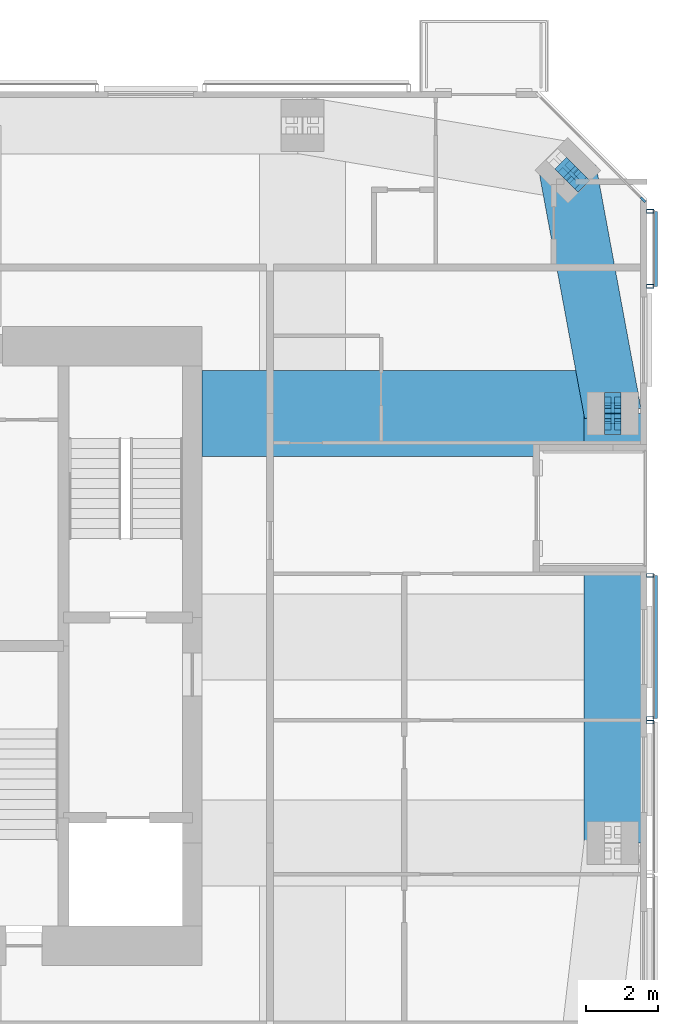
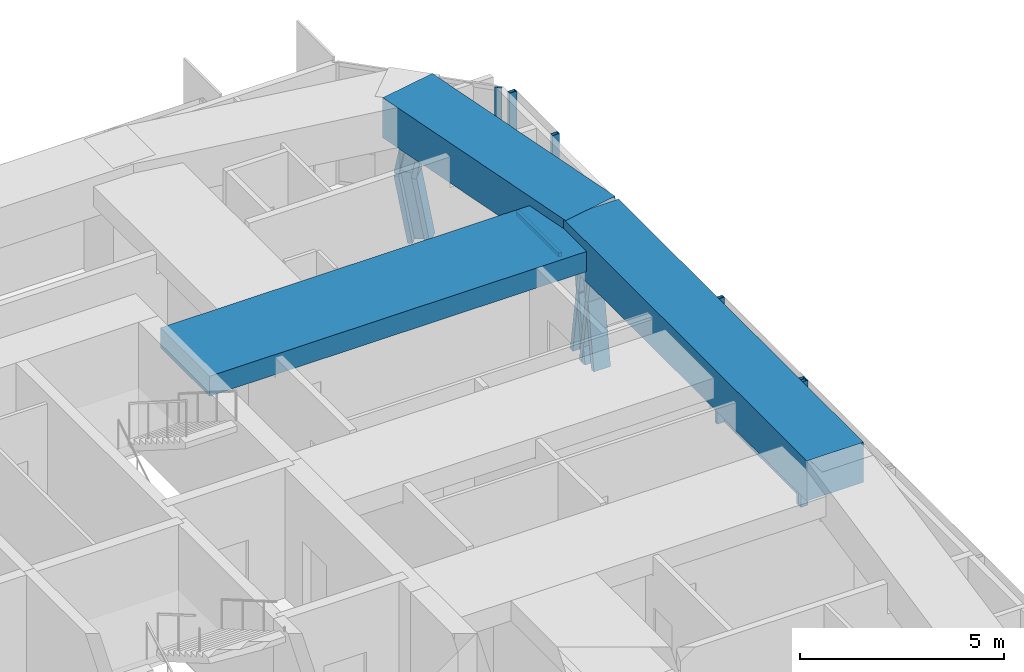
# One storey, part 9 of 20: 14 members, 3 beams, 4 elements without a shape of their own.
"""IFC4 building model written with IfcOpenShell, lengths in metres."""

from ifc_helpers import new_model, si_unit, direction, frame, origin, origin_2d, place, context, subcontext, project, spatial, rectangle, hollow_rectangle, i_section, extrude, material, material_profile, profile_set, type_object, element, aggregate, save


model = new_model("IFC4")

# Units and contexts
model_context = context("Model", 3, precision=1e-05, world=origin(), true_north=direction((0.0, 1.0)))
body_context = subcontext(model_context, "Body", "Model", "MODEL_VIEW")
ifc_project = project(units=[si_unit("LENGTHUNIT", "METRE"), si_unit("AREAUNIT", "SQUARE_METRE"), si_unit("VOLUMEUNIT", "CUBIC_METRE"), si_unit("PLANEANGLEUNIT", "RADIAN"), si_unit("MASSUNIT", "GRAM", prefix="KILO")], contexts=[model_context])

# Site, building, storey
site_placement = place(None, origin())
site = spatial("IfcSite", under=ifc_project, at=site_placement, CompositionType="ELEMENT")
building_placement = place(site_placement, origin())
building = spatial("IfcBuilding", under=site, at=building_placement, Name="Jalousie Tower", CompositionType="ELEMENT")
storey_placement = place(building_placement, frame((0.0, 0.0, 263.85009765625)))
storey = spatial("IfcBuildingStorey", under=building, at=storey_placement, Name="L72", CompositionType="ELEMENT", Elevation=263.85009765625)

# Curtain wall, member
ifc_material_1 = material(Name="Aluminium curtain wall", Category="aluminium")
curtain_wall_type_1 = type_object("IfcCurtainWallType", Name="PENTHOUSE CORNER WINDOW WALL", PredefinedType="USERDEFINED", material=ifc_material_1)
curtain_wall_1_placement = place(storey_placement, origin())
curtain_wall_1 = element("IfcCurtainWall", 1, at=curtain_wall_1_placement, inside=storey, type_object=curtain_wall_type_1, Name="Penthouse Corner Window Wall L72 4", ObjectType="PENTHOUSE CORNER WINDOW WALL", PredefinedType="USERDEFINED")
ifc_material_2 = material(Name="Aluminium mullion", Category="aluminium")
ifc_material_profile_1 = material_profile(ifc_material_2, rectangle(XDim=0.06005859375, YDim=0.179931640625, at=origin_2d()), Name="MULLION 60x180")
ifc_profile_set_1 = profile_set([ifc_material_profile_1], Name="Aluminium mullion")
member_type_1 = type_object("IfcMemberType", Name="PENTHOUSE CORNER WINDOW WALL MULLION", PredefinedType="MULLION", material=ifc_profile_set_1)
member_1_placement = place(storey_placement, frame((56.391357421875, 30.969970703125, 0.0), z_axis=(0.0, 0.0, 1.0), x_axis=(-0.707106781187, -0.707106781187, 0.0)))
member_1 = element("IfcMember", 2, at=member_1_placement, type_object=member_type_1, Name="CW-H mullion 1", PredefinedType="MULLION", context=body_context, shape_type="SweptSolid", body=[
    extrude(rectangle(XDim=0.06005859375, YDim=0.179931640625, at=origin_2d()), origin(), (0.0, 0.0, 1.0), 3.619873046875),
])
aggregate(curtain_wall_1, [member_1])

# Members
ifc_material_3 = material(Name="Steel ASTM A992 Grade 50", Category="steel")
ifc_material_profile_2 = material_profile(ifc_material_3, i_section(OverallWidth=0.472412109375, OverallDepth=0.5791015625, WebThickness=0.094970703125, FlangeThickness=0.1298828125, at=origin_2d()), Name="W14X808")
ifc_profile_set_2 = profile_set([ifc_material_profile_2], Name="Steel ASTM A992 Grade 50")
member_type_2 = type_object("IfcMemberType", Name="PERIMETER BRACE W14X808", PredefinedType="BRACE", material=ifc_profile_set_2)
for number, where, z_axis, x_axis, name in (
    (3, (55.550048828125, 24.699951171875, -0.60009765625), (0.0, 0.152085080919, 0.988367405453), (-1.0, 0.0, 0.0), "Perimeter brace 07 L72 part 1"),
    (4, (55.550048828125, 25.0, 1.349853515625), (0.0, 0.152085080919, 0.988367405453), (-1.0, 0.0, 0.0), "Perimeter brace 07 L72 part 2"),
    (5, (55.550048828125, 25.300048828125, -0.60009765625), (0.0, -0.152085080919, 0.988367405453), (1.0, 0.0, 0.0), "Perimeter brace 07 L72 part 3"),
    (6, (55.550048828125, 25.0, 1.349853515625), (0.0, -0.152085080919, 0.988367405453), (1.0, 0.0, 0.0), "Perimeter brace 07 L72 part 4"),
):
    element("IfcMember", number, at=place(storey_placement, frame(where, z_axis=z_axis, x_axis=x_axis)), inside=storey, type_object=member_type_2, Name=name, PredefinedType="BRACE", context=body_context, shape_type="SweptSolid", body=[
        extrude(i_section(OverallWidth=0.472412109375, OverallDepth=0.5791015625, WebThickness=0.094970703125, FlangeThickness=0.1298828125, at=origin_2d()), origin(), (0.0, 0.0, 1.0), 1.972900390625),
    ])
for number, where, z_axis, x_axis, name in (
    (7, (54.540283203125, 31.54541015625, -0.60009765625), (-0.124836902862, 0.124960137712, 0.984276745467), (-0.707455539091, -0.706757851183, 0.0), "Perimeter brace 08 L72 part 1"),
    (8, (54.29296875, 31.79296875, 1.349853515625), (0.124836902862, -0.124960137712, 0.984276745467), (0.707455539091, 0.706757851183, 0.0), "Perimeter brace 08 L72 part 4"),
):
    element("IfcMember", number, at=place(storey_placement, frame(where, z_axis=z_axis, x_axis=x_axis)), inside=storey, type_object=member_type_2, Name=name, PredefinedType="BRACE", context=body_context, shape_type="SweptSolid", body=[
        extrude(i_section(OverallWidth=0.472412109375, OverallDepth=0.5791015625, WebThickness=0.094970703125, FlangeThickness=0.1298828125, at=origin_2d()), origin(), (0.0, 0.0, 1.0), 1.981201171875),
    ])

# Beams
ifc_material_4 = material(Name="Concrete f'c 40 MPa", Category="concrete")
ifc_material_profile_3 = material_profile(ifc_material_4, rectangle(XDim=1.60009765625, YDim=1.199951171875, at=origin_2d()), Name="RC 1600x1200")
ifc_profile_set_3 = profile_set([ifc_material_profile_3], Name="Concrete f'c 40 MPa")
beam_type_1 = type_object("IfcBeamType", Name="RC BEAM 1600x1200", PredefinedType="BEAM", material=ifc_profile_set_3)
beam_1_placement = place(storey_placement, frame((55.550048828125, 13.0, 3.2998046875), z_axis=(0.0, 1.0, 0.0), x_axis=(-1.0, 0.0, 0.0)))
element("IfcBeam", 9, at=beam_1_placement, inside=storey, type_object=beam_type_1, Name="Edge band beam 06-07 under L73", PredefinedType="BEAM", context=body_context, shape_type="SweptSolid", body=[
    extrude(rectangle(XDim=1.60009765625, YDim=1.199951171875, at=origin_2d()), origin(), (0.0, 0.0, 1.0), 12.0),
])
beam_2_placement = place(storey_placement, frame((55.550048828125, 25.0, 3.2998046875), z_axis=(-0.181966505593, 0.983304729391, 0.0), x_axis=(-0.983304729391, -0.181966505593, 0.0)))
element("IfcBeam", 10, at=beam_2_placement, inside=storey, type_object=beam_type_1, Name="Edge band beam 07-08 under L73", PredefinedType="BEAM", context=body_context, shape_type="SweptSolid", body=[
    extrude(rectangle(XDim=1.60009765625, YDim=1.199951171875, at=origin_2d()), origin(), (0.0, 0.0, 1.0), 6.908203125),
])
ifc_material_5 = material(Name="Concrete f'c 40 MPa", Category="concrete")
ifc_material_profile_4 = material_profile(ifc_material_5, rectangle(XDim=2.39990234375, YDim=0.60009765625, at=origin_2d()), Name="RC 2400x600")
ifc_profile_set_4 = profile_set([ifc_material_profile_4], Name="Concrete f'c 40 MPa")
beam_type_2 = type_object("IfcBeamType", Name="RC BEAM 2400x600", PredefinedType="BEAM", material=ifc_profile_set_4)
beam_3_placement = place(storey_placement, frame((55.550048828125, 25.0, 3.31982421875), z_axis=(-1.0, 0.0, 0.0), x_axis=(0.0, -1.0, 0.0)))
element("IfcBeam", 11, at=beam_3_placement, inside=storey, type_object=beam_type_2, Name="Floor band beam under L73", PredefinedType="BEAM", context=body_context, shape_type="SweptSolid", body=[
    extrude(rectangle(XDim=2.39990234375, YDim=0.60009765625, at=origin_2d()), origin(), (0.0, 0.0, 1.0), 11.47509765625),
])

# Curtain wall, member
ifc_material_6 = material(Name="Perforated aluminium sheet", Category="aluminium")
curtain_wall_type_2 = type_object("IfcCurtainWallType", Name="SOLAR SCREEN SS-2", PredefinedType="USERDEFINED", material=ifc_material_6)
curtain_wall_2_placement = place(storey_placement, origin())
curtain_wall_2 = element("IfcCurtainWall", 12, at=curtain_wall_2_placement, inside=storey, type_object=curtain_wall_type_2, Name="Solar screen L72", ObjectType="SOLAR SCREEN SS-2", PredefinedType="USERDEFINED")
ifc_material_7 = material(Name="Steel ASTM A500 Grade C", Category="steel")
ifc_material_profile_5 = material_profile(ifc_material_7, hollow_rectangle(XDim=0.1015625, YDim=0.203125, WallThickness=0.0078125, at=origin_2d()), Name="HSS8X4X5/16")
ifc_profile_set_5 = profile_set([ifc_material_profile_5], Name="Steel ASTM A500 Grade C")
member_type_3 = type_object("IfcMemberType", Name="SOLAR SCREEN SS-2 MULLION", PredefinedType="MULLION", material=ifc_profile_set_5)
member_2_placement = place(storey_placement, frame((56.5966796875, 16.375, -0.1201171875), z_axis=(0.0, 0.0, 1.0), x_axis=(0.0, 1.0, 0.0)))
member_2 = element("IfcMember", 13, at=member_2_placement, type_object=member_type_3, Name="SS2 post 2", PredefinedType="MULLION", context=body_context, shape_type="SweptSolid", body=[
    extrude(hollow_rectangle(XDim=0.1015625, YDim=0.203125, WallThickness=0.0078125, at=origin_2d()), origin(), (0.0, 0.0, 1.0), 3.739990234375),
])
aggregate(curtain_wall_2, [member_2])

# Curtain wall, members
curtain_wall_3_placement = place(storey_placement, origin())
curtain_wall_3 = element("IfcCurtainWall", 14, at=curtain_wall_3_placement, inside=storey, type_object=curtain_wall_type_2, Name="Solar screen L72", ObjectType="SOLAR SCREEN SS-2", PredefinedType="USERDEFINED")
member_3_placement = place(storey_placement, frame((56.5966796875, 16.47509765625, -0.1201171875), z_axis=(0.0, 0.0, 1.0), x_axis=(0.0, 1.0, 0.0)))
member_3 = element("IfcMember", 15, at=member_3_placement, type_object=member_type_3, Name="SS2 post 1", PredefinedType="MULLION", context=body_context, shape_type="SweptSolid", body=[
    extrude(hollow_rectangle(XDim=0.1015625, YDim=0.203125, WallThickness=0.0078125, at=origin_2d()), origin(), (0.0, 0.0, 1.0), 3.739990234375),
])
member_4_placement = place(storey_placement, frame((56.5966796875, 20.47509765625, -0.1201171875), z_axis=(0.0, 0.0, 1.0), x_axis=(0.0, 1.0, 0.0)))
member_4 = element("IfcMember", 16, at=member_4_placement, type_object=member_type_3, Name="SS2 post 2", PredefinedType="MULLION", context=body_context, shape_type="SweptSolid", body=[
    extrude(hollow_rectangle(XDim=0.1015625, YDim=0.203125, WallThickness=0.0078125, at=origin_2d()), origin(), (0.0, 0.0, 1.0), 3.739990234375),
])

curtain_wall_4_placement = place(storey_placement, origin())
curtain_wall_4 = element("IfcCurtainWall", 17, at=curtain_wall_4_placement, inside=storey, type_object=curtain_wall_type_2, Name="Solar screen L72", ObjectType="SOLAR SCREEN SS-2", PredefinedType="USERDEFINED")
member_5_placement = place(storey_placement, frame((56.5966796875, 28.5537109375, -0.1201171875), z_axis=(0.0, 0.0, 1.0), x_axis=(0.0, 1.0, 0.0)))
member_5 = element("IfcMember", 18, at=member_5_placement, type_object=member_type_3, Name="SS2 post 1", PredefinedType="MULLION", context=body_context, shape_type="SweptSolid", body=[
    extrude(hollow_rectangle(XDim=0.1015625, YDim=0.203125, WallThickness=0.0078125, at=origin_2d()), origin(), (0.0, 0.0, 1.0), 3.739990234375),
])
member_6_placement = place(storey_placement, frame((56.5966796875, 30.648681640625, -0.1201171875), z_axis=(0.0, 0.0, 1.0), x_axis=(0.0, 1.0, 0.0)))
member_6 = element("IfcMember", 19, at=member_6_placement, type_object=member_type_3, Name="SS2 post 2", PredefinedType="MULLION", context=body_context, shape_type="SweptSolid", body=[
    extrude(hollow_rectangle(XDim=0.1015625, YDim=0.203125, WallThickness=0.0078125, at=origin_2d()), origin(), (0.0, 0.0, 1.0), 3.739990234375),
])

# Member
ifc_material_8 = material(Name="Extruded aluminium screen rail", Category="aluminium")
ifc_material_profile_6 = material_profile(ifc_material_8, rectangle(XDim=0.1015625, YDim=0.1201171875, at=origin_2d()), Name="RAIL 102x120")
ifc_profile_set_6 = profile_set([ifc_material_profile_6], Name="Extruded aluminium screen rail")
member_type_4 = type_object("IfcMemberType", Name="SOLAR SCREEN SS-2 TRANSOM", PredefinedType="USERDEFINED", material=ifc_profile_set_6)
member_7_placement = place(storey_placement, frame((56.7490234375, 16.47509765625, -0.06005859375), z_axis=(0.0, 1.0, 0.0), x_axis=(-1.0, 0.0, 0.0)))
member_7 = element("IfcMember", 20, at=member_7_placement, type_object=member_type_4, Name="SS2 rail", ObjectType="TRANSOM", PredefinedType="USERDEFINED", context=body_context, shape_type="SweptSolid", body=[
    extrude(rectangle(XDim=0.1015625, YDim=0.1201171875, at=origin_2d()), origin(), (0.0, 0.0, 1.0), 4.0),
])

aggregate(curtain_wall_3, [member_3, member_4, member_7])

member_8_placement = place(storey_placement, frame((56.7490234375, 28.5537109375, -0.06005859375), z_axis=(0.0, 1.0, 0.0), x_axis=(-1.0, 0.0, 0.0)))
member_8 = element("IfcMember", 21, at=member_8_placement, type_object=member_type_4, Name="SS2 rail", ObjectType="TRANSOM", PredefinedType="USERDEFINED", context=body_context, shape_type="SweptSolid", body=[
    extrude(rectangle(XDim=0.1015625, YDim=0.1201171875, at=origin_2d()), origin(), (0.0, 0.0, 1.0), 2.094970703125),
])

aggregate(curtain_wall_4, [member_5, member_6, member_8])

save(model, "model.ifc")
